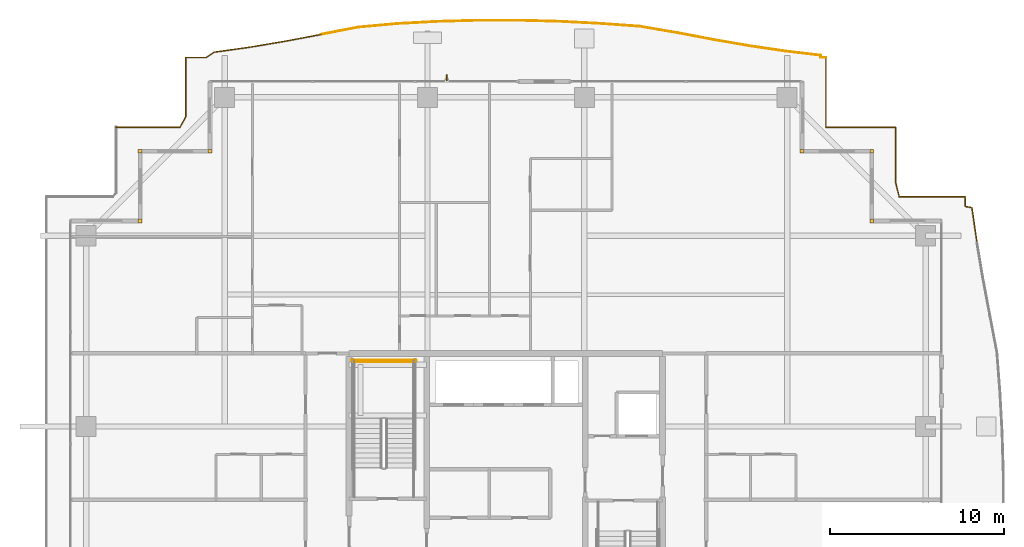
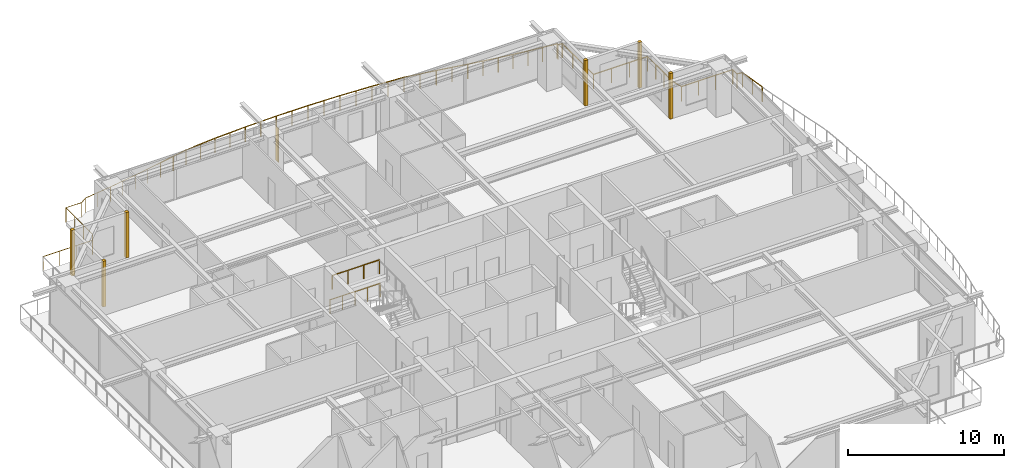
# One storey, part 38 of 38: 6 coverings, 6 railings, 1 shading device.
"""IFC4 building model written with IfcOpenShell, lengths in metres."""

from ifc_helpers import new_model, si_unit, direction, frame, origin, origin_2d, place, context, subcontext, project, spatial, rectangle, circle, extrude, source, transform, mapped, material, layer, layer_set, type_object, element, save


model = new_model("IFC4")

# Units and contexts
model_context = context("Model", 3, precision=1e-05, world=origin(), true_north=direction((0.0, 1.0)))
body_context = subcontext(model_context, "Body", "Model", "MODEL_VIEW")
ifc_project = project(units=[si_unit("LENGTHUNIT", "METRE"), si_unit("AREAUNIT", "SQUARE_METRE"), si_unit("VOLUMEUNIT", "CUBIC_METRE"), si_unit("PLANEANGLEUNIT", "RADIAN"), si_unit("MASSUNIT", "GRAM", prefix="KILO")], contexts=[model_context])

# Site, building, storey
site_placement = place(None, origin())
site = spatial("IfcSite", under=ifc_project, at=site_placement, CompositionType="ELEMENT")
building_placement = place(site_placement, origin())
building = spatial("IfcBuilding", under=site, at=building_placement, Name="Serunith Strait Residences", CompositionType="ELEMENT")
storey_placement = place(building_placement, frame((0.0, 0.0, 264.35009765625)))
storey = spatial("IfcBuildingStorey", under=building, at=storey_placement, Name="L66", CompositionType="ELEMENT", Elevation=264.35009765625)

# Railings
ifc_material_1 = material(Name="Stainless Steel & Laminated Glass Balustrade", Category="steel")
railing_type_1 = type_object("IfcRailingType", Name="RLG-BALC-1150", PredefinedType="BALUSTRADE", material=ifc_material_1)
railing_1_placement = place(storey_placement, frame((10.02001953125, 46.580078125, -0.050048828125)))
element("IfcRailing", 1, at=railing_1_placement, inside=storey, type_object=railing_type_1, Name="L66 Swirling Balcony Perimeter Balustrade 1", PredefinedType="BALUSTRADE", context=body_context, shape_type="SweptSolid", body=[
    extrude(circle(Radius=0.02392578125, at=origin_2d()), frame((0.001953125, 0.0, 1.1259765625), z_axis=(1.0, 0.0, 0.0), x_axis=(0.0, 1.0, 0.0)), (0.0, 0.0, 1.0), 3.6552734375),
    extrude(circle(Radius=0.02392578125, at=origin_2d()), frame((3.66015625, 0.001708984375, 1.1259765625), z_axis=(0.482528995713, 0.875879996516, 0.0), x_axis=(-0.875879996516, 0.482528995713, 0.0)), (0.0, 0.0, 1.0), 0.702392578125),
    extrude(circle(Radius=0.02392578125, at=origin_2d()), frame((4.0, 0.62060546875, 1.1259765625), z_axis=(0.0, 1.0, 0.0), x_axis=(-1.0, 0.0, 0.0)), (0.0, 0.0, 1.0), 3.37744140625),
    extrude(circle(Radius=0.02392578125, at=origin_2d()), frame((4.001953125, 4.0, 1.1259765625), z_axis=(1.0, 0.0, 0.0), x_axis=(0.0, 1.0, 0.0)), (0.0, 0.0, 1.0), 1.165771484375),
    extrude(circle(Radius=0.02392578125, at=origin_2d()), frame((5.17138671875, 4.001220703125, 1.1259765625), z_axis=(0.819785381696, 0.57267087228, 0.0), x_axis=(-0.57267087228, 0.819785381696, 0.0)), (0.0, 0.0, 1.0), 0.534423828125),
    extrude(circle(Radius=0.02392578125, at=origin_2d()), frame((5.613037109375, 4.30859375, 1.1259765625), z_axis=(0.990269443671, 0.139163317476, 0.0), x_axis=(-0.139163317476, 0.990269443671, 0.0)), (0.0, 0.0, 1.0), 2.039794921875),
    extrude(circle(Radius=0.02392578125, at=origin_2d()), frame((7.636962890625, 4.593017578125, 1.1259765625), z_axis=(0.986227865849, 0.165392250795, 0.0), x_axis=(-0.165392250795, 0.986227865849, 0.0)), (0.0, 0.0, 1.0), 2.068603515625),
    extrude(circle(Radius=0.02392578125, at=origin_2d()), frame((9.680908203125, 4.93603515625, 1.1259765625), z_axis=(0.982762478457, 0.184872688458, 0.0), x_axis=(-0.184872688458, 0.982762478457, 0.0)), (0.0, 0.0, 1.0), 2.115478515625),
    extrude(circle(Radius=0.02099609375, at=origin_2d()), origin(), (0.0, 0.0, 1.0), 1.099853515625),
    extrude(circle(Radius=0.02099609375, at=origin_2d()), frame((1.2197265625, 0.0, 0.0)), (0.0, 0.0, 1.0), 1.099853515625),
    extrude(circle(Radius=0.02099609375, at=origin_2d()), frame((2.439453125, 0.0, 0.0)), (0.0, 0.0, 1.0), 1.099853515625),
    extrude(circle(Radius=0.02099609375, at=origin_2d()), frame((3.6591796875, 0.0, 0.0)), (0.0, 0.0, 1.0), 1.099853515625),
    extrude(circle(Radius=0.02099609375, at=origin_2d()), frame((4.0, 0.61865234375, 0.0)), (0.0, 0.0, 1.0), 1.099853515625),
    extrude(circle(Radius=0.02099609375, at=origin_2d()), frame((4.0, 1.745849609375, 0.0)), (0.0, 0.0, 1.0), 1.099853515625),
    extrude(circle(Radius=0.02099609375, at=origin_2d()), frame((4.0, 2.872802734375, 0.0)), (0.0, 0.0, 1.0), 1.099853515625),
    extrude(circle(Radius=0.02099609375, at=origin_2d()), frame((4.0, 4.0, 0.0)), (0.0, 0.0, 1.0), 1.099853515625),
    extrude(circle(Radius=0.02099609375, at=origin_2d()), frame((5.169677734375, 4.0, 0.0)), (0.0, 0.0, 1.0), 1.099853515625),
    extrude(circle(Radius=0.02099609375, at=origin_2d()), frame((5.611083984375, 4.308349609375, 0.0)), (0.0, 0.0, 1.0), 1.099853515625),
    extrude(circle(Radius=0.02099609375, at=origin_2d()), frame((6.623046875, 4.45068359375, 0.0)), (0.0, 0.0, 1.0), 1.099853515625),
    extrude(circle(Radius=0.02099609375, at=origin_2d()), frame((7.635009765625, 4.5927734375, 0.0)), (0.0, 0.0, 1.0), 1.099853515625),
    extrude(circle(Radius=0.02099609375, at=origin_2d()), frame((8.656982421875, 4.76416015625, 0.0)), (0.0, 0.0, 1.0), 1.099853515625),
    extrude(circle(Radius=0.02099609375, at=origin_2d()), frame((9.678955078125, 4.935546875, 0.0)), (0.0, 0.0, 1.0), 1.099853515625),
    extrude(circle(Radius=0.02099609375, at=origin_2d()), frame((10.720458984375, 5.13134765625, 0.0)), (0.0, 0.0, 1.0), 1.099853515625),
    extrude(circle(Radius=0.02099609375, at=origin_2d()), frame((11.761962890625, 5.327392578125, 0.0)), (0.0, 0.0, 1.0), 1.099853515625),
])
railing_2_placement = place(storey_placement, frame((21.781982421875, 51.907470703125, -0.050048828125)))
element("IfcRailing", 2, at=railing_2_placement, inside=storey, type_object=railing_type_1, Name="L66 Swirling Balcony Perimeter Balustrade 2", PredefinedType="BALUSTRADE", context=body_context, shape_type="SweptSolid", body=[
    extrude(circle(Radius=0.02392578125, at=origin_2d()), frame((0.001953125, 0.00048828125, 1.1259765625), z_axis=(0.981808792911, 0.18987231015, 0.0), x_axis=(-0.18987231015, 0.981808792911, 0.0)), (0.0, 0.0, 1.0), 2.177978515625),
    extrude(circle(Radius=0.02392578125, at=origin_2d()), frame((2.144287109375, 0.41455078125, 1.1259765625), z_axis=(0.995890561145, 0.090564839884, 0.0), x_axis=(-0.090564839884, 0.995890561145, 0.0)), (0.0, 0.0, 1.0), 2.265869140625),
    extrude(circle(Radius=0.02392578125, at=origin_2d()), frame((4.40478515625, 0.619873046875, 1.1259765625), z_axis=(0.998620454787, 0.052508925733, 0.0), x_axis=(-0.052508925733, 0.998620454787, 0.0)), (0.0, 0.0, 1.0), 2.306884765625),
    extrude(circle(Radius=0.02392578125, at=origin_2d()), frame((6.71240234375, 0.7412109375, 1.1259765625), z_axis=(0.999620930608, 0.027531710624, 0.0), x_axis=(-0.027531710624, 0.999620930608, 0.0)), (0.0, 0.0, 1.0), 2.328125),
    extrude(circle(Radius=0.02392578125, at=origin_2d()), frame((9.043701171875, 0.805419921875, 1.1259765625), z_axis=(0.999999951039, 0.000312923736, 0.0), x_axis=(-0.000312923736, 0.999999951039, 0.0)), (0.0, 0.0, 1.0), 2.336669921875),
    extrude(circle(Radius=0.02392578125, at=origin_2d()), frame((11.38427734375, 0.80615234375, 1.1259765625), z_axis=(0.999644299442, -0.02666973178, 0.0), x_axis=(0.02666973178, 0.999644299442, 0.0)), (0.0, 0.0, 1.0), 2.330322265625),
    extrude(circle(Radius=0.02392578125, at=origin_2d()), frame((13.7177734375, 0.743896484375, 1.1259765625), z_axis=(0.998685449425, -0.051257907743, 0.0), x_axis=(0.051257907743, 0.998685449425, 0.0)), (0.0, 0.0, 1.0), 2.310791015625),
    extrude(circle(Radius=0.02392578125, at=origin_2d()), frame((16.029541015625, 0.625, 1.1259765625), z_axis=(0.997449470876, -0.071376137819, 0.0), x_axis=(0.071376137819, 0.997449470876, 0.0)), (0.0, 0.0, 1.0), 2.28076171875),
    extrude(circle(Radius=0.02099609375, at=origin_2d()), origin(), (0.0, 0.0, 1.0), 1.099853515625),
    extrude(circle(Radius=0.02099609375, at=origin_2d()), frame((1.0712890625, 0.20703125, 0.0)), (0.0, 0.0, 1.0), 1.099853515625),
    extrude(circle(Radius=0.02099609375, at=origin_2d()), frame((2.142333984375, 0.414306640625, 0.0)), (0.0, 0.0, 1.0), 1.099853515625),
    extrude(circle(Radius=0.02099609375, at=origin_2d()), frame((3.2724609375, 0.51708984375, 0.0)), (0.0, 0.0, 1.0), 1.099853515625),
    extrude(circle(Radius=0.02099609375, at=origin_2d()), frame((4.40283203125, 0.619873046875, 0.0)), (0.0, 0.0, 1.0), 1.099853515625),
    extrude(circle(Radius=0.02099609375, at=origin_2d()), frame((5.556640625, 0.6806640625, 0.0)), (0.0, 0.0, 1.0), 1.099853515625),
    extrude(circle(Radius=0.02099609375, at=origin_2d()), frame((6.71044921875, 0.7412109375, 0.0)), (0.0, 0.0, 1.0), 1.099853515625),
    extrude(circle(Radius=0.02099609375, at=origin_2d()), frame((7.8759765625, 0.7734375, 0.0)), (0.0, 0.0, 1.0), 1.099853515625),
    extrude(circle(Radius=0.02099609375, at=origin_2d()), frame((9.041748046875, 0.805419921875, 0.0)), (0.0, 0.0, 1.0), 1.099853515625),
    extrude(circle(Radius=0.02099609375, at=origin_2d()), frame((10.2119140625, 0.8056640625, 0.0)), (0.0, 0.0, 1.0), 1.099853515625),
    extrude(circle(Radius=0.02099609375, at=origin_2d()), frame((11.38232421875, 0.80615234375, 0.0)), (0.0, 0.0, 1.0), 1.099853515625),
    extrude(circle(Radius=0.02099609375, at=origin_2d()), frame((12.549072265625, 0.77490234375, 0.0)), (0.0, 0.0, 1.0), 1.099853515625),
    extrude(circle(Radius=0.02099609375, at=origin_2d()), frame((13.7158203125, 0.743896484375, 0.0)), (0.0, 0.0, 1.0), 1.099853515625),
    extrude(circle(Radius=0.02099609375, at=origin_2d()), frame((14.87158203125, 0.6845703125, 0.0)), (0.0, 0.0, 1.0), 1.099853515625),
    extrude(circle(Radius=0.02099609375, at=origin_2d()), frame((16.027587890625, 0.625244140625, 0.0)), (0.0, 0.0, 1.0), 1.099853515625),
    extrude(circle(Radius=0.02099609375, at=origin_2d()), frame((17.1669921875, 0.543701171875, 0.0)), (0.0, 0.0, 1.0), 1.099853515625),
    extrude(circle(Radius=0.02099609375, at=origin_2d()), frame((18.306640625, 0.462158203125, 0.0)), (0.0, 0.0, 1.0), 1.099853515625),
])
railing_3_placement = place(storey_placement, frame((40.088623046875, 52.36962890625, -0.050048828125)))
element("IfcRailing", 3, at=railing_3_placement, inside=storey, type_object=railing_type_1, Name="L66 Swirling Balcony Perimeter Balustrade 3", PredefinedType="BALUSTRADE", context=body_context, shape_type="SweptSolid", body=[
    extrude(circle(Radius=0.02392578125, at=origin_2d()), frame((0.001953125, -0.000244140625, 1.1259765625), z_axis=(0.985614354219, -0.16900989544, 0.0), x_axis=(0.16900989544, 0.985614354219, 0.0)), (0.0, 0.0, 1.0), 2.201904296875),
    extrude(circle(Radius=0.02392578125, at=origin_2d()), frame((2.176025390625, -0.373291015625, 1.1259765625), z_axis=(0.98245838107, -0.186481981613, 0.0), x_axis=(0.186481981613, 0.98245838107, 0.0)), (0.0, 0.0, 1.0), 2.132568359375),
    extrude(circle(Radius=0.02392578125, at=origin_2d()), frame((4.275146484375, -0.771484375, 1.1259765625), z_axis=(0.985444564324, -0.169997090103, 0.0), x_axis=(0.169997090103, 0.985444564324, 0.0)), (0.0, 0.0, 1.0), 2.081298828125),
    extrude(circle(Radius=0.02392578125, at=origin_2d()), frame((6.330078125, -1.1259765625, 1.1259765625), z_axis=(0.989443594423, -0.144918506254, 0.0), x_axis=(0.144918506254, 0.989443594423, 0.0)), (0.0, 0.0, 1.0), 2.0478515625),
    extrude(circle(Radius=0.02392578125, at=origin_2d()), frame((8.3603515625, -1.42333984375, 1.1259765625), z_axis=(0.993063519694, -0.117579104664, 0.0), x_axis=(0.117579104664, 0.993063519694, 0.0)), (0.0, 0.0, 1.0), 2.03076171875),
    extrude(circle(Radius=0.02392578125, at=origin_2d()), frame((10.379150390625, -1.664306640625, 1.1259765625), z_axis=(-0.007677316921, -0.999970528968, 0.0), x_axis=(0.999970528968, -0.007677316921, 0.0)), (0.0, 0.0, 1.0), 0.123291015625),
    extrude(circle(Radius=0.02392578125, at=origin_2d()), frame((10.380126953125, -1.78955078125, 1.1259765625), z_axis=(1.0, 0.0, 0.0), x_axis=(0.0, 1.0, 0.0)), (0.0, 0.0, 1.0), 0.309326171875),
    extrude(circle(Radius=0.02099609375, at=origin_2d()), origin(), (0.0, 0.0, 1.0), 1.099853515625),
    extrude(circle(Radius=0.02099609375, at=origin_2d()), frame((1.0869140625, -0.1865234375, 0.0)), (0.0, 0.0, 1.0), 1.099853515625),
    extrude(circle(Radius=0.02099609375, at=origin_2d()), frame((2.174072265625, -0.372802734375, 0.0)), (0.0, 0.0, 1.0), 1.099853515625),
    extrude(circle(Radius=0.02099609375, at=origin_2d()), frame((3.2236328125, -0.572021484375, 0.0)), (0.0, 0.0, 1.0), 1.099853515625),
    extrude(circle(Radius=0.02099609375, at=origin_2d()), frame((4.273193359375, -0.771240234375, 0.0)), (0.0, 0.0, 1.0), 1.099853515625),
    extrude(circle(Radius=0.02099609375, at=origin_2d()), frame((5.30078125, -0.948486328125, 0.0)), (0.0, 0.0, 1.0), 1.099853515625),
    extrude(circle(Radius=0.02099609375, at=origin_2d()), frame((6.328125, -1.125732421875, 0.0)), (0.0, 0.0, 1.0), 1.099853515625),
    extrude(circle(Radius=0.02099609375, at=origin_2d()), frame((7.34326171875, -1.2744140625, 0.0)), (0.0, 0.0, 1.0), 1.099853515625),
    extrude(circle(Radius=0.02099609375, at=origin_2d()), frame((8.3583984375, -1.423095703125, 0.0)), (0.0, 0.0, 1.0), 1.099853515625),
    extrude(circle(Radius=0.02099609375, at=origin_2d()), frame((9.36865234375, -1.542724609375, 0.0)), (0.0, 0.0, 1.0), 1.099853515625),
    extrude(circle(Radius=0.02099609375, at=origin_2d()), frame((10.379150390625, -1.662353515625, 0.0)), (0.0, 0.0, 1.0), 1.099853515625),
    extrude(circle(Radius=0.02099609375, at=origin_2d()), frame((10.378173828125, -1.78955078125, 0.0)), (0.0, 0.0, 1.0), 1.099853515625),
    extrude(circle(Radius=0.02099609375, at=origin_2d()), frame((10.69140625, -1.78955078125, 0.0)), (0.0, 0.0, 1.0), 1.099853515625),
])
railing_4_placement = place(storey_placement, frame((50.780029296875, 50.580078125, -0.050048828125)))
element("IfcRailing", 4, at=railing_4_placement, inside=storey, type_object=railing_type_1, Name="L66 Swirling Balcony Perimeter Balustrade 4", PredefinedType="BALUSTRADE", context=body_context, shape_type="SweptSolid", body=[
    extrude(circle(Radius=0.02392578125, at=origin_2d()), frame((0.0, -0.001953125, 1.1259765625), z_axis=(0.0, -1.0, 0.0), x_axis=(1.0, 0.0, 0.0)), (0.0, 0.0, 1.0), 3.99609375),
    extrude(circle(Radius=0.02392578125, at=origin_2d()), frame((0.001953125, -4.0, 1.1259765625), z_axis=(1.0, 0.0, 0.0), x_axis=(0.0, 1.0, 0.0)), (0.0, 0.0, 1.0), 3.99609375),
    extrude(circle(Radius=0.02392578125, at=origin_2d()), frame((4.0, -4.001953125, 1.1259765625), z_axis=(0.0, -1.0, 0.0), x_axis=(1.0, 0.0, 0.0)), (0.0, 0.0, 1.0), 3.16259765625),
    extrude(circle(Radius=0.02392578125, at=origin_2d()), frame((4.00048828125, -7.16845703125, 1.1259765625), z_axis=(0.23892002588, -0.97103924804, 0.0), x_axis=(0.97103924804, 0.23892002588, 0.0)), (0.0, 0.0, 1.0), 0.854248046875),
    extrude(circle(Radius=0.02392578125, at=origin_2d()), frame((4.20703125, -8.0, 1.1259765625), z_axis=(1.0, 0.0, 0.0), x_axis=(0.0, 1.0, 0.0)), (0.0, 0.0, 1.0), 3.791015625),
    extrude(circle(Radius=0.02392578125, at=origin_2d()), frame((8.0, -8.001953125, 1.1259765625), z_axis=(0.0, -1.0, 0.0), x_axis=(1.0, 0.0, 0.0)), (0.0, 0.0, 1.0), 0.545654296875),
    extrude(circle(Radius=0.02392578125, at=origin_2d()), frame((8.001953125, -8.5498046875, 1.1259765625), z_axis=(0.986185717182, -0.1656433857, 0.0), x_axis=(0.1656433857, 0.986185717182, 0.0)), (0.0, 0.0, 1.0), 0.377685546875),
    extrude(circle(Radius=0.02392578125, at=origin_2d()), frame((8.376708984375, -8.61474609375, 1.1259765625), z_axis=(0.142523289695, -0.989791448687, 0.0), x_axis=(0.989791448687, 0.142523289695, 0.0)), (0.0, 0.0, 1.0), 2.04296875),
    extrude(circle(Radius=0.02099609375, at=origin_2d()), origin(), (0.0, 0.0, 1.0), 1.099853515625),
    extrude(circle(Radius=0.02099609375, at=origin_2d()), frame((0.0, -1.333251953125, 0.0)), (0.0, 0.0, 1.0), 1.099853515625),
    extrude(circle(Radius=0.02099609375, at=origin_2d()), frame((0.0, -2.666748046875, 0.0)), (0.0, 0.0, 1.0), 1.099853515625),
    extrude(circle(Radius=0.02099609375, at=origin_2d()), frame((0.0, -4.0, 0.0)), (0.0, 0.0, 1.0), 1.099853515625),
    extrude(circle(Radius=0.02099609375, at=origin_2d()), frame((1.333251953125, -4.0, 0.0)), (0.0, 0.0, 1.0), 1.099853515625),
    extrude(circle(Radius=0.02099609375, at=origin_2d()), frame((2.666748046875, -4.0, 0.0)), (0.0, 0.0, 1.0), 1.099853515625),
    extrude(circle(Radius=0.02099609375, at=origin_2d()), frame((4.0, -4.0, 0.0)), (0.0, 0.0, 1.0), 1.099853515625),
    extrude(circle(Radius=0.02099609375, at=origin_2d()), frame((4.0, -5.055419921875, 0.0)), (0.0, 0.0, 1.0), 1.099853515625),
    extrude(circle(Radius=0.02099609375, at=origin_2d()), frame((4.0, -6.111083984375, 0.0)), (0.0, 0.0, 1.0), 1.099853515625),
    extrude(circle(Radius=0.02099609375, at=origin_2d()), frame((4.0, -7.16650390625, 0.0)), (0.0, 0.0, 1.0), 1.099853515625),
    extrude(circle(Radius=0.02099609375, at=origin_2d()), frame((4.205078125, -8.0, 0.0)), (0.0, 0.0, 1.0), 1.099853515625),
    extrude(circle(Radius=0.02099609375, at=origin_2d()), frame((5.469970703125, -8.0, 0.0)), (0.0, 0.0, 1.0), 1.099853515625),
    extrude(circle(Radius=0.02099609375, at=origin_2d()), frame((6.735107421875, -8.0, 0.0)), (0.0, 0.0, 1.0), 1.099853515625),
    extrude(circle(Radius=0.02099609375, at=origin_2d()), frame((8.0, -8.0, 0.0)), (0.0, 0.0, 1.0), 1.099853515625),
    extrude(circle(Radius=0.02099609375, at=origin_2d()), frame((8.0, -8.549560546875, 0.0)), (0.0, 0.0, 1.0), 1.099853515625),
    extrude(circle(Radius=0.02099609375, at=origin_2d()), frame((8.37646484375, -8.61279296875, 0.0)), (0.0, 0.0, 1.0), 1.099853515625),
    extrude(circle(Radius=0.02099609375, at=origin_2d()), frame((8.5224609375, -9.6259765625, 0.0)), (0.0, 0.0, 1.0), 1.099853515625),
    extrude(circle(Radius=0.02099609375, at=origin_2d()), frame((8.668212890625, -10.638916015625, 0.0)), (0.0, 0.0, 1.0), 1.099853515625),
])
ifc_material_2 = material(Name="Brushed stainless steel 316L", Category="steel")
railing_type_2 = type_object("IfcRailingType", Name="RLG-STAIR-GUARD", PredefinedType="BALUSTRADE", material=ifc_material_2)
railing_5_placement = place(storey_placement, frame((27.14990234375, 33.10009765625, 1.9248046875)))
element("IfcRailing", 5, at=railing_5_placement, inside=storey, type_object=railing_type_2, Name="L66 ST-1 stair guard 5", PredefinedType="BALUSTRADE", context=body_context, shape_type="SweptSolid", body=[
    extrude(circle(Radius=0.02392578125, at=origin_2d()), frame((-0.001953125, 0.0, 1.076171875), z_axis=(-1.0, 0.0, 0.0), x_axis=(0.0, -1.0, 0.0)), (0.0, 0.0, 1.0), 3.49609375),
    extrude(circle(Radius=0.02099609375, at=origin_2d()), origin(), (0.0, 0.0, 1.0), 1.050048828125),
    extrude(circle(Radius=0.02099609375, at=origin_2d()), frame((-1.166748046875, 0.0, 0.0)), (0.0, 0.0, 1.0), 1.050048828125),
    extrude(circle(Radius=0.02099609375, at=origin_2d()), frame((-2.333251953125, 0.0, 0.0)), (0.0, 0.0, 1.0), 1.050048828125),
    extrude(circle(Radius=0.02099609375, at=origin_2d()), frame((-3.5, 0.0, 0.0)), (0.0, 0.0, 1.0), 1.050048828125),
])
railing_6_placement = place(storey_placement, frame((27.25, 33.199951171875, 0.0)))
element("IfcRailing", 6, at=railing_6_placement, inside=storey, type_object=railing_type_2, Name="L66 ST-1 stair guard 12", PredefinedType="BALUSTRADE", context=body_context, shape_type="SweptSolid", body=[
    extrude(circle(Radius=0.02392578125, at=origin_2d()), frame((-0.001953125, 0.0, 1.076171875), z_axis=(-1.0, 0.0, 0.0), x_axis=(0.0, -1.0, 0.0)), (0.0, 0.0, 1.0), 3.696044921875),
    extrude(circle(Radius=0.02099609375, at=origin_2d()), origin(), (0.0, 0.0, 1.0), 1.050048828125),
    extrude(circle(Radius=0.02099609375, at=origin_2d()), frame((-0.925048828125, 0.0, 0.0)), (0.0, 0.0, 1.0), 1.050048828125),
    extrude(circle(Radius=0.02099609375, at=origin_2d()), frame((-1.85009765625, 0.0, 0.0)), (0.0, 0.0, 1.0), 1.050048828125),
    extrude(circle(Radius=0.02099609375, at=origin_2d()), frame((-2.77490234375, 0.0, 0.0)), (0.0, 0.0, 1.0), 1.050048828125),
    extrude(circle(Radius=0.02099609375, at=origin_2d()), frame((-3.699951171875, 0.0, 0.0)), (0.0, 0.0, 1.0), 1.050048828125),
])

# Shading device
ifc_material_3 = material(Name="Pale-Champagne Perforated Aluminium Fin", Category="aluminium")
shading_device_type = type_object("IfcShadingDeviceType", Name="SHD-DIAG-FIN", PredefinedType="AWNING", material=ifc_material_3)
shared_shape_1 = source(origin(), body_context, "Body", "SweptSolid", [
    extrude(rectangle(XDim=0.080078125, YDim=0.35009765625, at=origin_2d()), origin(), (0.0, 0.0, 1.0), 2.60009765625),
])
shading_device_placement = place(storey_placement, frame((29.0, 49.419921875, 0.199951171875), z_axis=(0.0, 0.0, 1.0), x_axis=(1.0, 0.0, 0.0)))
element("IfcShadingDevice", 7, at=shading_device_placement, inside=storey, type_object=shading_device_type, Name="L66 Diagonal Rhythm Solar Fin N", PredefinedType="AWNING", context=body_context, shape_type="MappedRepresentation", body=[
    mapped(shared_shape_1, transform((0.0, 0.0, 0.0), scale=1.0)),
])

# Coverings
ifc_material_4 = material(Name="Pale-Champagne Anodised Aluminium", Category="aluminium")
ifc_layer = layer(ifc_material_4, 0.219970703125, Name="Pale-Champagne Anodised Aluminium")
ifc_layer_set = layer_set([ifc_layer], Name="Pale-Champagne Anodised Aluminium")
covering_type = type_object("IfcCoveringType", Name="COV-CORN-TRIM", PredefinedType="CLADDING", material=ifc_layer_set)
shared_shape_2 = source(origin(), body_context, "Body", "SweptSolid", [
    extrude(rectangle(XDim=0.221923828125, YDim=0.221923828125, at=origin_2d()), origin(), (0.0, 0.0, 1.0), 3.574951171875),
])
for number, where, z_axis, x_axis, name in (
    (8, (53.39990234375, 41.199951171875, 0.0), (0.0, 0.0, 1.0), (1.0, 0.0, 0.0), "L66 Girih Serrated Corner Trim Post 07"),
    (9, (53.39990234375, 45.199951171875, 0.0), (0.0, 0.0, 1.0), (1.0, 0.0, 0.0), "L66 Girih Serrated Corner Trim Post 08"),
    (10, (49.39990234375, 45.199951171875, 0.0), (0.0, 0.0, 1.0), (1.0, 0.0, 0.0), "L66 Girih Serrated Corner Trim Post 09"),
    (11, (15.39990234375, 45.199951171875, 0.0), (0.0, 0.0, 1.0), (1.0, 0.0, 0.0), "L66 Girih Serrated Corner Trim Post 12"),
    (12, (11.39990234375, 45.199951171875, 0.0), (0.0, 0.0, 1.0), (1.0, 0.0, 0.0), "L66 Girih Serrated Corner Trim Post 13"),
    (13, (11.39990234375, 41.199951171875, 0.0), (0.0, 0.0, 1.0), (1.0, 0.0, 0.0), "L66 Girih Serrated Corner Trim Post 14"),
):
    element("IfcCovering", number, at=place(storey_placement, frame(where, z_axis=z_axis, x_axis=x_axis)), inside=storey, type_object=covering_type, Name=name, PredefinedType="CLADDING", context=body_context, shape_type="MappedRepresentation", body=[
        mapped(shared_shape_2, transform((0.0, 0.0, 0.0), scale=1.0)),
    ])

save(model, "model.ifc")
